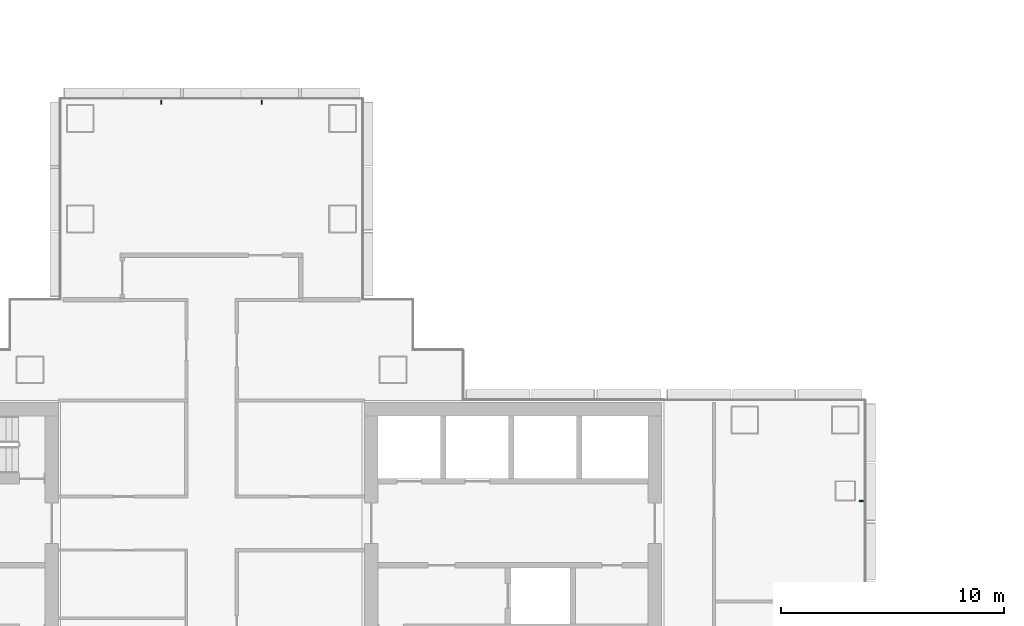
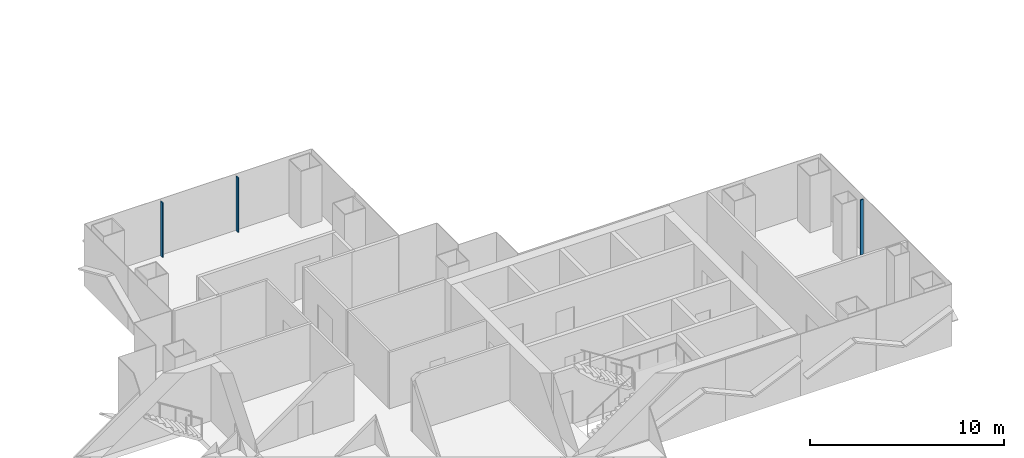
# One storey, part 4 of 19: 3 members, 2 elements without a shape of their own.
"""IFC4 building model written with IfcOpenShell, lengths in metres."""

from ifc_helpers import new_model, si_unit, direction, frame, origin, origin_2d, place, context, subcontext, project, spatial, rectangle, extrude, material, layer, layer_set, material_profile, profile_set, type_object, element, aggregate, save


model = new_model("IFC4")

# Units and contexts
model_context = context("Model", 3, precision=1e-05, world=origin(), true_north=direction((0.0, 1.0)))
body_context = subcontext(model_context, "Body", "Model", "MODEL_VIEW")
ifc_project = project(units=[si_unit("LENGTHUNIT", "METRE"), si_unit("AREAUNIT", "SQUARE_METRE"), si_unit("VOLUMEUNIT", "CUBIC_METRE"), si_unit("PLANEANGLEUNIT", "RADIAN"), si_unit("MASSUNIT", "GRAM", prefix="KILO")], contexts=[model_context])

# Site, building, storey
site_placement = place(None, origin())
site = spatial("IfcSite", under=ifc_project, at=site_placement, CompositionType="ELEMENT")
building_placement = place(site_placement, origin())
building = spatial("IfcBuilding", under=site, at=building_placement, Name="Shamsa Quay Exchange Towers", CompositionType="ELEMENT")
storey_placement = place(building_placement, frame((0.0, 0.0, 93.60009765625)))
storey = spatial("IfcBuildingStorey", under=building, at=storey_placement, Name="L21", CompositionType="ELEMENT", Elevation=93.60009765625)

# Curtain wall, member
ifc_material = material(Name="Aluminium EN AW-6063 T6, black anodised", Category="aluminium")
ifc_layer = layer(ifc_material, 0.280029296875)
ifc_layer_set = layer_set([ifc_layer], Name="CW-1 UNITISED VISION GLASS")
curtain_wall_type = type_object("IfcCurtainWallType", Name="CW-1 UNITISED VISION GLASS", PredefinedType="NOTDEFINED", material=ifc_layer_set)
curtain_wall_1_placement = place(storey_placement, origin())
curtain_wall_1 = element("IfcCurtainWall", 1, at=curtain_wall_1_placement, inside=storey, type_object=curtain_wall_type, Name="CW1 T1-END-U+ L21", PredefinedType="NOTDEFINED")
ifc_material_profile = material_profile(ifc_material, rectangle(XDim=0.179931640625, YDim=0.06005859375, at=origin_2d()), Name="MU60x180")
ifc_profile_set = profile_set([ifc_material_profile], Name="Aluminium EN AW-6063 T6, black anodised")
member_type = type_object("IfcMemberType", Name="CW1 MULLION 60x180", PredefinedType="MULLION", material=ifc_profile_set)
member_1_placement = place(storey_placement, frame((-4.64990234375, 2.25, 0.0), z_axis=(0.0, 0.0, 1.0), x_axis=(-1.0, 0.0, 0.0)))
member_1 = element("IfcMember", 2, at=member_1_placement, type_object=member_type, Name="CW1 mullion", PredefinedType="MULLION", context=body_context, shape_type="SweptSolid", body=[
    extrude(rectangle(XDim=0.179931640625, YDim=0.06005859375, at=origin_2d()), origin(), (0.0, 0.0, 1.0), 3.449951171875),
])
aggregate(curtain_wall_1, [member_1])

# Curtain wall, members
curtain_wall_2_placement = place(storey_placement, origin())
curtain_wall_2 = element("IfcCurtainWall", 3, at=curtain_wall_2_placement, inside=storey, type_object=curtain_wall_type, Name="CW1 T1-END-V+ L21", PredefinedType="NOTDEFINED")
member_2_placement = place(storey_placement, frame((-31.5, 20.10009765625, 0.0), z_axis=(0.0, 0.0, 1.0), x_axis=(0.0, -1.0, 0.0)))
member_2 = element("IfcMember", 4, at=member_2_placement, type_object=member_type, Name="CW1 mullion", PredefinedType="MULLION", context=body_context, shape_type="SweptSolid", body=[
    extrude(rectangle(XDim=0.179931640625, YDim=0.06005859375, at=origin_2d()), origin(), (0.0, 0.0, 1.0), 3.449951171875),
])
member_3_placement = place(storey_placement, frame((-36.0, 20.10009765625, 0.0), z_axis=(0.0, 0.0, 1.0), x_axis=(0.0, -1.0, 0.0)))
member_3 = element("IfcMember", 5, at=member_3_placement, type_object=member_type, Name="CW1 mullion", PredefinedType="MULLION", context=body_context, shape_type="SweptSolid", body=[
    extrude(rectangle(XDim=0.179931640625, YDim=0.06005859375, at=origin_2d()), origin(), (0.0, 0.0, 1.0), 3.449951171875),
])
aggregate(curtain_wall_2, [member_2, member_3])

save(model, "model.ifc")
